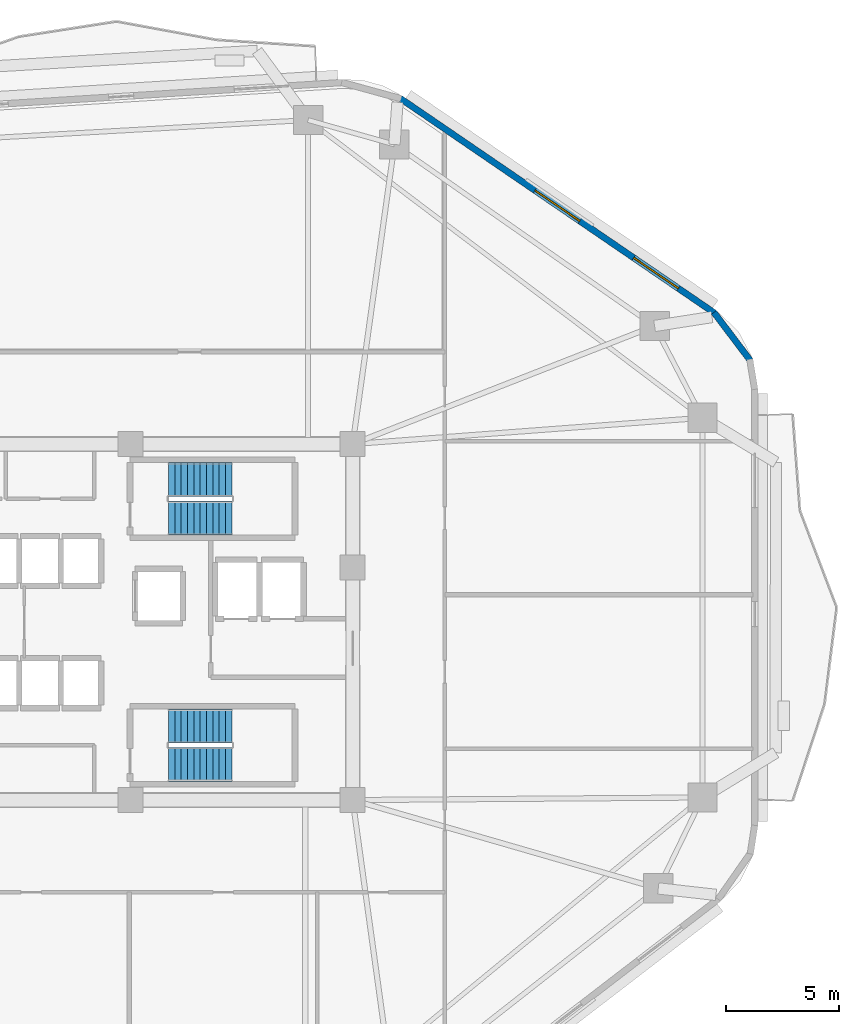
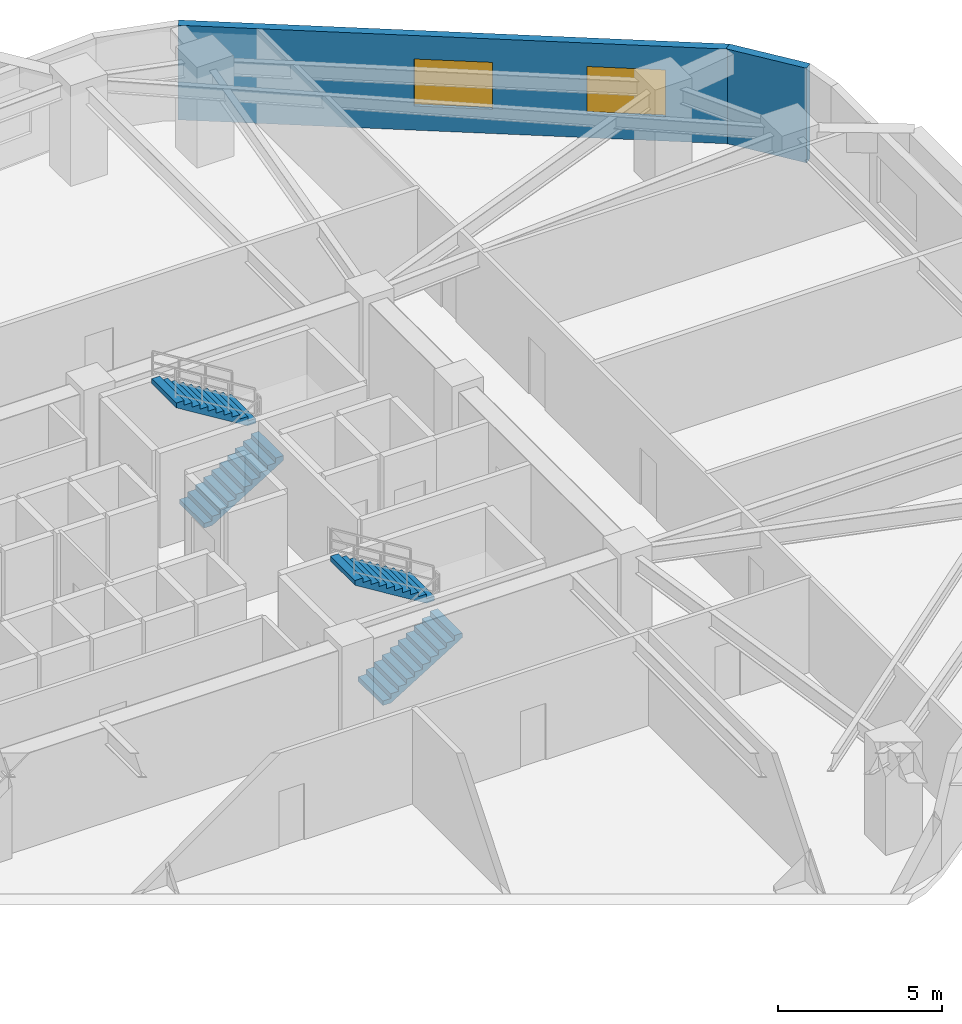
# One storey, part 6 of 9: 4 stair flights, 2 walls, 2 windows, 2 openings, 2 elements without a shape of their own.
"""IFC4 building model written with IfcOpenShell, lengths in metres."""

from ifc_helpers import new_model, si_unit, direction, frame, frame_2d, origin, place, context, subcontext, project, spatial, polyline, rectangle, outline, extrude, material, layer, layer_set, type_object, element, fill, aggregate, save


model = new_model("IFC4")

# Units and contexts
model_context = context("Model", 3, precision=1e-05, world=origin(), true_north=direction((0.0, 1.0)))
body_context = subcontext(model_context, "Body", "Model", "MODEL_VIEW")
ifc_project = project(units=[si_unit("LENGTHUNIT", "METRE"), si_unit("AREAUNIT", "SQUARE_METRE"), si_unit("VOLUMEUNIT", "CUBIC_METRE"), si_unit("PLANEANGLEUNIT", "RADIAN"), si_unit("MASSUNIT", "GRAM", prefix="KILO")], contexts=[model_context])

# Site, building, storey
site_placement = place(None, origin())
site = spatial("IfcSite", under=ifc_project, at=site_placement, CompositionType="ELEMENT")
building_placement = place(site_placement, origin())
building = spatial("IfcBuilding", under=site, at=building_placement, Name="Zulverin Broadcast Headquarters", CompositionType="ELEMENT")
storey_placement = place(building_placement, frame((0.0, 0.0, 63.0)))
storey = spatial("IfcBuildingStorey", under=building, at=storey_placement, Name="L15", CompositionType="ELEMENT", Elevation=63.0)

# Wall, openings, windows
ifc_material_1 = material(Name="Insulated pale-metal clad concrete spandrel C40/50", Category="concrete")
ifc_layer = layer(ifc_material_1, 0.280029296875, Name="Insulated pale-metal clad concrete spandrel C40/50", Category="concrete")
ifc_layer_set = layer_set([ifc_layer], Name="Insulated pale-metal clad concrete spandrel C40/50")
wall_type = type_object("IfcWallType", Name="WL-EXT-280", PredefinedType="STANDARD", material=ifc_layer_set)
wall_1_placement = place(storey_placement, frame((64.289794921875, 38.8671875, 0.0), z_axis=(0.0, 0.0, 1.0), x_axis=(-0.825755550159, 0.564028165416, 0.0)))
wall_1 = element("IfcWall", 1, at=wall_1_placement, inside=storey, type_object=wall_type, Name="L15 Pale-Metal Clad Spandrel Wall 4", PredefinedType="STANDARD", context=body_context, shape_type="SweptSolid", body=[
    extrude(rectangle(XDim=16.848388671875, YDim=0.280029296875, at=frame_2d((8.42431640625, 0.0))), origin(), (0.0, 0.0, 1.0), 3.52490234375),
])
opening_1_placement = place(wall_1_placement, frame((1.94140625, 0.0, 0.89990234375)))
opening_1 = element("IfcOpeningElement", 2, at=opening_1_placement, cuts=wall_1, Name="Opening W-L15-E41", PredefinedType="OPENING", context=body_context, shape_type="SweptSolid", body=[
    extrude(rectangle(XDim=2.39990234375, YDim=1.75, at=frame_2d((1.199951171875, 0.875))), frame((0.0, 0.14990234375, 0.0), z_axis=(0.0, -1.0, 0.0), x_axis=(1.0, 0.0, 0.0)), (0.0, 0.0, 1.0), 0.300048828125),
])
opening_2_placement = place(wall_1_placement, frame((7.22412109375, 0.0, 0.89990234375)))
opening_2 = element("IfcOpeningElement", 3, at=opening_2_placement, cuts=wall_1, Name="Opening W-L15-E42", PredefinedType="OPENING", context=body_context, shape_type="SweptSolid", body=[
    extrude(rectangle(XDim=2.39990234375, YDim=1.75, at=frame_2d((1.199951171875, 0.875))), frame((0.0, 0.14990234375, 0.0), z_axis=(0.0, -1.0, 0.0), x_axis=(1.0, 0.0, 0.0)), (0.0, 0.0, 1.0), 0.300048828125),
])
ifc_material_2 = material(Name="Pale anodized aluminium frame with solar-control low-E double glazing", Category="aluminium")
window_type = type_object("IfcWindowType", Name="WIN-RIB-2400", PartitioningType="SINGLE_PANEL", PredefinedType="WINDOW", material=ifc_material_2)
window_1_placement = place(opening_1_placement, origin())
window_1 = element("IfcWindow", 4, at=window_1_placement, inside=storey, type_object=window_type, Name="L15 Ribbon Glazing Window 4 1", OverallHeight=1.75, OverallWidth=2.39990234375, PartitioningType="SINGLE_PANEL", PredefinedType="WINDOW", context=body_context, shape_type="SweptSolid", body=[
    extrude(rectangle(XDim=2.39990234375, YDim=1.75, at=frame_2d((1.199951171875, 0.875))), frame((0.0, 0.030029296875, 0.0), z_axis=(0.0, -1.0, 0.0), x_axis=(1.0, 0.0, 0.0)), (0.0, 0.0, 1.0), 0.06005859375),
])
fill(opening_1, window_1)
window_2_placement = place(opening_2_placement, origin())
window_2 = element("IfcWindow", 5, at=window_2_placement, inside=storey, type_object=window_type, Name="L15 Ribbon Glazing Window 4 2", OverallHeight=1.75, OverallWidth=2.39990234375, PartitioningType="SINGLE_PANEL", PredefinedType="WINDOW", context=body_context, shape_type="SweptSolid", body=[
    extrude(rectangle(XDim=2.39990234375, YDim=1.75, at=frame_2d((1.199951171875, 0.875))), frame((0.0, 0.030029296875, 0.0), z_axis=(0.0, -1.0, 0.0), x_axis=(1.0, 0.0, 0.0)), (0.0, 0.0, 1.0), 0.06005859375),
])
fill(opening_2, window_2)

# Wall
wall_2_placement = place(storey_placement, frame((65.8701171875, 36.7666015625, 0.0), z_axis=(0.0, 0.0, 1.0), x_axis=(-0.603370463754, 0.797461023166, 0.0)))
element("IfcWall", 6, at=wall_2_placement, inside=storey, type_object=wall_type, Name="L15 Wind-Shaped Corner Spandrel Wall 3-2", PredefinedType="STANDARD", context=body_context, shape_type="SweptSolid", body=[
    extrude(rectangle(XDim=2.6728515625, YDim=0.280029296875, at=frame_2d((1.33642578125, 0.0))), origin(), (0.0, 0.0, 1.0), 3.52490234375),
])

# Stair, stair flights
ifc_material_3 = material(Name="Concrete C40/50", Category="concrete")
stair_type = type_object("IfcStairType", Name="ST-CORE-1500", PredefinedType="HALF_TURN_STAIR", material=ifc_material_3)
stair_1_placement = place(storey_placement, origin())
stair_1 = element("IfcStair", 7, at=stair_1_placement, inside=storey, type_object=stair_type, Name="L15 Core Exit Stair ST-1", PredefinedType="HALF_TURN_STAIR")
stair_flight_type = type_object("IfcStairFlightType", Name="SF-CORE-1500", PredefinedType="STRAIGHT", material=ifc_material_3)
stair_flight_1_placement = place(storey_placement, frame((40.1298828125, 29.800048828125, 0.0), z_axis=(0.0, 0.0, 1.0), x_axis=(1.0, 0.0, 0.0)))
stair_flight_1 = element("IfcStairFlight", 8, at=stair_flight_1_placement, type_object=stair_flight_type, Name="ST-1 flight 1", NumberOfRisers=11, NumberOfTreads=10, PredefinedType="STRAIGHT", RiserHeight=0.172727273, TreadLength=0.28, context=body_context, shape_type="SweptSolid", body=[
    extrude(outline(polyline([(0.0, 0.0), (0.0, 0.172607421875), (0.280029296875, 0.172607421875), (0.280029296875, 0.345458984375), (0.56005859375, 0.345458984375), (0.56005859375, 0.51806640625), (0.840087890625, 0.51806640625), (0.840087890625, 0.69091796875), (1.1201171875, 0.69091796875), (1.1201171875, 0.863525390625), (1.39990234375, 0.863525390625), (1.39990234375, 1.036376953125), (1.679931640625, 1.036376953125), (1.679931640625, 1.208984375), (1.9599609375, 1.208984375), (1.9599609375, 1.3818359375), (2.239990234375, 1.3818359375), (2.239990234375, 1.554443359375), (2.52001953125, 1.554443359375), (2.52001953125, 1.727294921875), (2.800048828125, 1.727294921875), (2.800048828125, 1.89990234375), (2.800048828125, 1.551025390625), (0.285400390625, 0.0), (0.0, 0.0)])), frame((0.0, 0.75, 0.0), z_axis=(0.0, -1.0, 0.0), x_axis=(1.0, 0.0, 0.0)), (0.0, 0.0, 1.0), 1.5),
])
stair_flight_2_placement = place(storey_placement, frame((42.929931640625, 31.5, 1.89990234375), z_axis=(0.0, 0.0, 1.0), x_axis=(-1.0, 0.0, 0.0)))
stair_flight_2 = element("IfcStairFlight", 9, at=stair_flight_2_placement, type_object=stair_flight_type, Name="ST-1 flight 2", NumberOfRisers=11, NumberOfTreads=10, PredefinedType="STRAIGHT", RiserHeight=0.172727273, TreadLength=0.28, context=body_context, shape_type="SweptSolid", body=[
    extrude(outline(polyline([(0.0, 0.0), (0.0, 0.172607421875), (0.280029296875, 0.172607421875), (0.280029296875, 0.345458984375), (0.56005859375, 0.345458984375), (0.56005859375, 0.51806640625), (0.840087890625, 0.51806640625), (0.840087890625, 0.69091796875), (1.1201171875, 0.69091796875), (1.1201171875, 0.863525390625), (1.39990234375, 0.863525390625), (1.39990234375, 1.036376953125), (1.679931640625, 1.036376953125), (1.679931640625, 1.208984375), (1.9599609375, 1.208984375), (1.9599609375, 1.3818359375), (2.239990234375, 1.3818359375), (2.239990234375, 1.554443359375), (2.52001953125, 1.554443359375), (2.52001953125, 1.727294921875), (2.800048828125, 1.727294921875), (2.800048828125, 1.89990234375), (2.800048828125, 1.551025390625), (0.285400390625, 0.0), (0.0, 0.0)])), frame((0.0, 0.75, 0.0), z_axis=(0.0, -1.0, 0.0), x_axis=(1.0, 0.0, 0.0)), (0.0, 0.0, 1.0), 1.5),
])
aggregate(stair_1, [stair_flight_1, stair_flight_2])

stair_2_placement = place(storey_placement, origin())
stair_2 = element("IfcStair", 10, at=stair_2_placement, inside=storey, type_object=stair_type, Name="L15 Core Exit Stair ST-2", PredefinedType="HALF_TURN_STAIR")
stair_flight_3_placement = place(storey_placement, frame((40.1298828125, 18.89990234375, 0.0), z_axis=(0.0, 0.0, 1.0), x_axis=(1.0, 0.0, 0.0)))
stair_flight_3 = element("IfcStairFlight", 11, at=stair_flight_3_placement, type_object=stair_flight_type, Name="ST-2 flight 1", NumberOfRisers=11, NumberOfTreads=10, PredefinedType="STRAIGHT", RiserHeight=0.172727273, TreadLength=0.28, context=body_context, shape_type="SweptSolid", body=[
    extrude(outline(polyline([(0.0, 0.0), (0.0, 0.172607421875), (0.280029296875, 0.172607421875), (0.280029296875, 0.345458984375), (0.56005859375, 0.345458984375), (0.56005859375, 0.51806640625), (0.840087890625, 0.51806640625), (0.840087890625, 0.69091796875), (1.1201171875, 0.69091796875), (1.1201171875, 0.863525390625), (1.39990234375, 0.863525390625), (1.39990234375, 1.036376953125), (1.679931640625, 1.036376953125), (1.679931640625, 1.208984375), (1.9599609375, 1.208984375), (1.9599609375, 1.3818359375), (2.239990234375, 1.3818359375), (2.239990234375, 1.554443359375), (2.52001953125, 1.554443359375), (2.52001953125, 1.727294921875), (2.800048828125, 1.727294921875), (2.800048828125, 1.89990234375), (2.800048828125, 1.551025390625), (0.285400390625, 0.0), (0.0, 0.0)])), frame((0.0, 0.75, 0.0), z_axis=(0.0, -1.0, 0.0), x_axis=(1.0, 0.0, 0.0)), (0.0, 0.0, 1.0), 1.5),
])
stair_flight_4_placement = place(storey_placement, frame((42.929931640625, 20.60009765625, 1.89990234375), z_axis=(0.0, 0.0, 1.0), x_axis=(-1.0, 0.0, 0.0)))
stair_flight_4 = element("IfcStairFlight", 12, at=stair_flight_4_placement, type_object=stair_flight_type, Name="ST-2 flight 2", NumberOfRisers=11, NumberOfTreads=10, PredefinedType="STRAIGHT", RiserHeight=0.172727273, TreadLength=0.28, context=body_context, shape_type="SweptSolid", body=[
    extrude(outline(polyline([(0.0, 0.0), (0.0, 0.172607421875), (0.280029296875, 0.172607421875), (0.280029296875, 0.345458984375), (0.56005859375, 0.345458984375), (0.56005859375, 0.51806640625), (0.840087890625, 0.51806640625), (0.840087890625, 0.69091796875), (1.1201171875, 0.69091796875), (1.1201171875, 0.863525390625), (1.39990234375, 0.863525390625), (1.39990234375, 1.036376953125), (1.679931640625, 1.036376953125), (1.679931640625, 1.208984375), (1.9599609375, 1.208984375), (1.9599609375, 1.3818359375), (2.239990234375, 1.3818359375), (2.239990234375, 1.554443359375), (2.52001953125, 1.554443359375), (2.52001953125, 1.727294921875), (2.800048828125, 1.727294921875), (2.800048828125, 1.89990234375), (2.800048828125, 1.551025390625), (0.285400390625, 0.0), (0.0, 0.0)])), frame((0.0, 0.75, 0.0), z_axis=(0.0, -1.0, 0.0), x_axis=(1.0, 0.0, 0.0)), (0.0, 0.0, 1.0), 1.5),
])
aggregate(stair_2, [stair_flight_3, stair_flight_4])

save(model, "model.ifc")
